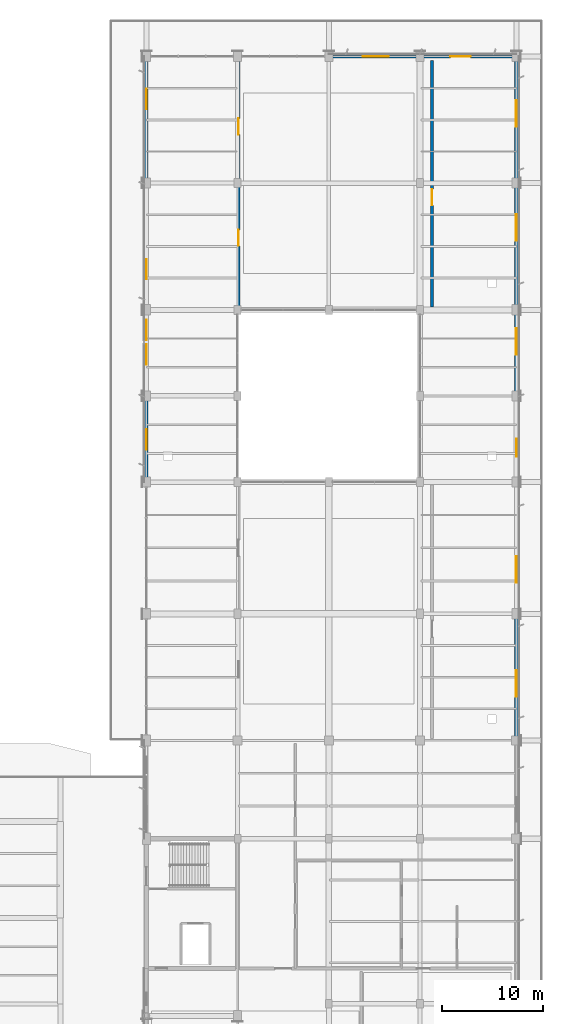
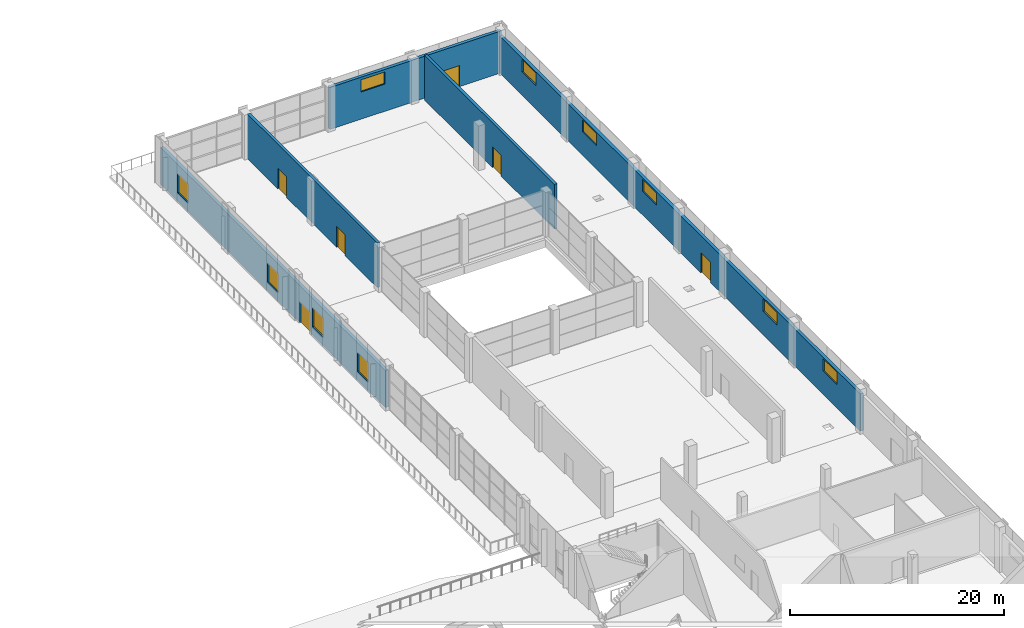
# One storey, part 72 of 90: 10 windows, 6 doors, 5 walls, 16 openings.
"""IFC4 building model written with IfcOpenShell, lengths in metres."""

from ifc_helpers import new_model, si_unit, direction, frame, frame_2d, origin, place, context, subcontext, project, spatial, rectangle, extrude, material, layer, layer_set, type_object, element, fill, save


model = new_model("IFC4")

# Units and contexts
model_context = context("Model", 3, precision=1e-05, world=origin(), true_north=direction((0.0, 1.0)))
body_context = subcontext(model_context, "Body", "Model", "MODEL_VIEW")
ifc_project = project(units=[si_unit("LENGTHUNIT", "METRE"), si_unit("AREAUNIT", "SQUARE_METRE"), si_unit("VOLUMEUNIT", "CUBIC_METRE"), si_unit("PLANEANGLEUNIT", "RADIAN"), si_unit("MASSUNIT", "GRAM", prefix="KILO")], contexts=[model_context])

# Site, building, storey
site_placement = place(None, origin())
site = spatial("IfcSite", under=ifc_project, at=site_placement, CompositionType="ELEMENT")
building_placement = place(site_placement, origin())
building = spatial("IfcBuilding", under=site, at=building_placement, Name="Solvikara Media Centre", CompositionType="ELEMENT")
storey_placement = place(building_placement, origin())
storey = spatial("IfcBuildingStorey", under=building, at=storey_placement, Name="L00", CompositionType="ELEMENT", Elevation=0.0)

# Wall, openings, doors
ifc_material_1 = material(Name="Concrete fc' 45 MPa (C45/55)", Category="concrete")
ifc_layer_1 = layer(ifc_material_1, 0.300048828125)
ifc_layer_set_1 = layer_set([ifc_layer_1], Name="Concrete fc' 45 MPa (C45/55)")
wall_type_1 = type_object("IfcWallType", Name="WT-05", PredefinedType="STANDARD", material=ifc_layer_set_1)
wall_1_placement = place(storey_placement, frame((136.60009765625, 89.300048828125, 0.0), z_axis=(0.0, 0.0, 1.0), x_axis=(0.0, 1.0, 0.0)))
wall_1 = element("IfcWall", 1, at=wall_1_placement, inside=storey, type_object=wall_type_1, Name="PW-L00-039", PredefinedType="STANDARD", context=body_context, shape_type="SweptSolid", body=[
    extrude(rectangle(XDim=24.300048828125, YDim=0.300048828125, at=frame_2d((12.14990234375, 0.0))), origin(), (0.0, 0.0, 1.0), 5.10009765625),
])
opening_1_placement = place(wall_1_placement, frame((6.0, 0.0, 0.0)))
opening_1 = element("IfcOpeningElement", 2, at=opening_1_placement, cuts=wall_1, Name="Opening D-L00-039-1", PredefinedType="OPENING", context=body_context, shape_type="SweptSolid", body=[
    extrude(rectangle(XDim=1.60009765625, YDim=2.39990234375, at=frame_2d((0.800048828125, 1.199951171875))), frame((0.0, 0.162109375, 0.0), z_axis=(0.0, -1.0, 0.0), x_axis=(1.0, 0.0, 0.0)), (0.0, 0.0, 1.0), 0.323974609375),
])
opening_2_placement = place(wall_1_placement, frame((17.0, 0.0, 0.0)))
opening_2 = element("IfcOpeningElement", 3, at=opening_2_placement, cuts=wall_1, Name="Opening D-L00-039-2", PredefinedType="OPENING", context=body_context, shape_type="SweptSolid", body=[
    extrude(rectangle(XDim=1.60009765625, YDim=2.39990234375, at=frame_2d((0.800048828125, 1.199951171875))), frame((0.0, 0.162109375, 0.0), z_axis=(0.0, -1.0, 0.0), x_axis=(1.0, 0.0, 0.0)), (0.0, 0.0, 1.0), 0.323974609375),
])
ifc_material_2 = material(Name="Solid core acoustic hardwood timber", Category="wood")
door_type_1 = type_object("IfcDoorType", Name="DT-13", OperationType="DOUBLE_DOOR_SINGLE_SWING", PredefinedType="DOOR", material=ifc_material_2)
door_1_placement = place(opening_1_placement, origin())
door_1 = element("IfcDoor", 4, at=door_1_placement, inside=storey, type_object=door_type_1, Name="D-L00-039-1", OperationType="DOUBLE_DOOR_SINGLE_SWING", OverallHeight=2.39990234375, OverallWidth=1.60009765625, PredefinedType="DOOR", context=body_context, shape_type="SweptSolid", body=[
    extrude(rectangle(XDim=1.60009765625, YDim=2.39990234375, at=frame_2d((0.800048828125, 1.199951171875))), frame((0.0, 0.02490234375, 0.0), z_axis=(0.0, -1.0, 0.0), x_axis=(1.0, 0.0, 0.0)), (0.0, 0.0, 1.0), 0.050048828125),
])
fill(opening_1, door_1)
door_2_placement = place(opening_2_placement, origin())
door_2 = element("IfcDoor", 5, at=door_2_placement, inside=storey, type_object=door_type_1, Name="D-L00-039-2", OperationType="DOUBLE_DOOR_SINGLE_SWING", OverallHeight=2.39990234375, OverallWidth=1.60009765625, PredefinedType="DOOR", context=body_context, shape_type="SweptSolid", body=[
    extrude(rectangle(XDim=1.60009765625, YDim=2.39990234375, at=frame_2d((0.800048828125, 1.199951171875))), frame((0.0, 0.02490234375, 0.0), z_axis=(0.0, -1.0, 0.0), x_axis=(1.0, 0.0, 0.0)), (0.0, 0.0, 1.0), 0.050048828125),
])
fill(opening_2, door_2)

# Wall, opening, door
wall_2_placement = place(storey_placement, frame((155.699951171875, 89.300048828125, 0.0), z_axis=(0.0, 0.0, 1.0), x_axis=(0.0, 1.0, 0.0)))
wall_2 = element("IfcWall", 6, at=wall_2_placement, inside=storey, type_object=wall_type_1, Name="PW-L00-040", PredefinedType="STANDARD", context=body_context, shape_type="SweptSolid", body=[
    extrude(rectangle(XDim=24.300048828125, YDim=0.300048828125, at=frame_2d((12.14990234375, 0.0))), origin(), (0.0, 0.0, 1.0), 5.10009765625),
])
opening_3_placement = place(wall_2_placement, frame((10.0, 0.0, 0.0)))
opening_3 = element("IfcOpeningElement", 7, at=opening_3_placement, cuts=wall_2, Name="Opening D-L00-040-1", PredefinedType="OPENING", context=body_context, shape_type="SweptSolid", body=[
    extrude(rectangle(XDim=1.60009765625, YDim=2.39990234375, at=frame_2d((0.800048828125, 1.199951171875))), frame((0.0, 0.162109375, 0.0), z_axis=(0.0, -1.0, 0.0), x_axis=(1.0, 0.0, 0.0)), (0.0, 0.0, 1.0), 0.323974609375),
])
door_3_placement = place(opening_3_placement, origin())
door_3 = element("IfcDoor", 8, at=door_3_placement, inside=storey, type_object=door_type_1, Name="D-L00-040-1", OperationType="DOUBLE_DOOR_SINGLE_SWING", OverallHeight=2.39990234375, OverallWidth=1.60009765625, PredefinedType="DOOR", context=body_context, shape_type="SweptSolid", body=[
    extrude(rectangle(XDim=1.60009765625, YDim=2.39990234375, at=frame_2d((0.800048828125, 1.199951171875))), frame((0.0, 0.02490234375, 0.0), z_axis=(0.0, -1.0, 0.0), x_axis=(1.0, 0.0, 0.0)), (0.0, 0.0, 1.0), 0.050048828125),
])
fill(opening_3, door_3)

# Wall, openings, door, windows
ifc_material_3 = material(Name="Precast concrete fc' 40 MPa (C40/50)", Category="concrete")
ifc_layer_2 = layer(ifc_material_3, 0.340087890625)
ifc_layer_set_2 = layer_set([ifc_layer_2], Name="Precast concrete fc' 40 MPa (C40/50)")
wall_type_2 = type_object("IfcWallType", Name="WT-09", PredefinedType="STANDARD", material=ifc_layer_set_2)
wall_3_placement = place(storey_placement, frame((164.0, 46.5, 0.0), z_axis=(0.0, 0.0, 1.0), x_axis=(0.0, 1.0, 0.0)))
wall_3 = element("IfcWall", 9, at=wall_3_placement, inside=storey, type_object=wall_type_2, Name="EW-L00-V2-E", PredefinedType="STANDARD", context=body_context, shape_type="SweptSolid", body=[
    extrude(rectangle(XDim=67.5, YDim=0.340087890625, at=frame_2d((33.75, 0.0))), origin(), (0.0, 0.0, 1.0), 4.239990234375),
])
opening_4_placement = place(wall_3_placement, frame((28.0, 0.0, 0.0)))
opening_4 = element("IfcOpeningElement", 10, at=opening_4_placement, cuts=wall_3, Name="Opening EX-14", PredefinedType="OPENING", context=body_context, shape_type="SweptSolid", body=[
    extrude(rectangle(XDim=1.800048828125, YDim=2.300048828125, at=frame_2d((0.89990234375, 1.14990234375))), frame((0.0, 0.18212890625, 0.0), z_axis=(0.0, -1.0, 0.0), x_axis=(1.0, 0.0, 0.0)), (0.0, 0.0, 1.0), 0.364013671875),
])
opening_5_placement = place(wall_3_placement, frame((4.324951171875, 0.0, 2.679931640625)))
opening_5 = element("IfcOpeningElement", 11, at=opening_5_placement, cuts=wall_3, Name="Opening W-L00-V2E-W01", PredefinedType="OPENING", context=body_context, shape_type="SweptSolid", body=[
    extrude(rectangle(XDim=2.60009765625, YDim=1.39990234375, at=frame_2d((1.300048828125, 0.699951171875))), frame((0.0, 0.18212890625, 0.0), z_axis=(0.0, -1.0, 0.0), x_axis=(1.0, 0.0, 0.0)), (0.0, 0.0, 1.0), 0.364013671875),
])
opening_6_placement = place(wall_3_placement, frame((15.574951171875, 0.0, 2.679931640625)))
opening_6 = element("IfcOpeningElement", 12, at=opening_6_placement, cuts=wall_3, Name="Opening W-L00-V2E-W02", PredefinedType="OPENING", context=body_context, shape_type="SweptSolid", body=[
    extrude(rectangle(XDim=2.60009765625, YDim=1.39990234375, at=frame_2d((1.300048828125, 0.699951171875))), frame((0.0, 0.18212890625, 0.0), z_axis=(0.0, -1.0, 0.0), x_axis=(1.0, 0.0, 0.0)), (0.0, 0.0, 1.0), 0.364013671875),
])
opening_7_placement = place(wall_3_placement, frame((38.074951171875, 0.0, 2.679931640625)))
opening_7 = element("IfcOpeningElement", 13, at=opening_7_placement, cuts=wall_3, Name="Opening W-L00-V2E-W04", PredefinedType="OPENING", context=body_context, shape_type="SweptSolid", body=[
    extrude(rectangle(XDim=2.60009765625, YDim=1.39990234375, at=frame_2d((1.300048828125, 0.699951171875))), frame((0.0, 0.18212890625, 0.0), z_axis=(0.0, -1.0, 0.0), x_axis=(1.0, 0.0, 0.0)), (0.0, 0.0, 1.0), 0.364013671875),
])
opening_8_placement = place(wall_3_placement, frame((49.324951171875, 0.0, 2.679931640625)))
opening_8 = element("IfcOpeningElement", 14, at=opening_8_placement, cuts=wall_3, Name="Opening W-L00-V2E-W05", PredefinedType="OPENING", context=body_context, shape_type="SweptSolid", body=[
    extrude(rectangle(XDim=2.60009765625, YDim=1.39990234375, at=frame_2d((1.300048828125, 0.699951171875))), frame((0.0, 0.18212890625, 0.0), z_axis=(0.0, -1.0, 0.0), x_axis=(1.0, 0.0, 0.0)), (0.0, 0.0, 1.0), 0.364013671875),
])
opening_9_placement = place(wall_3_placement, frame((60.574951171875, 0.0, 2.679931640625)))
opening_9 = element("IfcOpeningElement", 15, at=opening_9_placement, cuts=wall_3, Name="Opening W-L00-V2E-W06", PredefinedType="OPENING", context=body_context, shape_type="SweptSolid", body=[
    extrude(rectangle(XDim=2.60009765625, YDim=1.39990234375, at=frame_2d((1.300048828125, 0.699951171875))), frame((0.0, 0.18212890625, 0.0), z_axis=(0.0, -1.0, 0.0), x_axis=(1.0, 0.0, 0.0)), (0.0, 0.0, 1.0), 0.364013671875),
])
ifc_material_4 = material(Name="Insulated fire-rated steel door leaf", Category="steel")
door_type_2 = type_object("IfcDoorType", Name="DT-03", OperationType="DOUBLE_DOOR_SINGLE_SWING", PredefinedType="DOOR", material=ifc_material_4)
door_4_placement = place(opening_4_placement, frame((1.800048828125, 0.0, 0.0), z_axis=(0.0, 0.0, 1.0), x_axis=(-1.0, 0.0, 0.0)))
door_4 = element("IfcDoor", 16, at=door_4_placement, inside=storey, type_object=door_type_2, Name="EX-14", OperationType="DOUBLE_DOOR_SINGLE_SWING", OverallHeight=2.300048828125, OverallWidth=1.800048828125, PredefinedType="DOOR", context=body_context, shape_type="SweptSolid", body=[
    extrude(rectangle(XDim=1.800048828125, YDim=2.300048828125, at=frame_2d((0.89990234375, 1.14990234375))), frame((0.0, 0.02490234375, 0.0), z_axis=(0.0, -1.0, 0.0), x_axis=(1.0, 0.0, 0.0)), (0.0, 0.0, 1.0), 0.050048828125),
])
fill(opening_4, door_4)
ifc_material_5 = material(Name="Double-glazed low-E architectural glass", Category="glass")
window_type_1 = type_object("IfcWindowType", Name="WN-09", PartitioningType="SINGLE_PANEL", PredefinedType="WINDOW", material=ifc_material_5)
window_1_placement = place(opening_5_placement, origin())
window_1 = element("IfcWindow", 17, at=window_1_placement, inside=storey, type_object=window_type_1, Name="W-L00-V2E-W01", OverallHeight=1.39990234375, OverallWidth=2.60009765625, PartitioningType="SINGLE_PANEL", PredefinedType="WINDOW", context=body_context, shape_type="SweptSolid", body=[
    extrude(rectangle(XDim=2.60009765625, YDim=1.39990234375, at=frame_2d((1.300048828125, 0.699951171875))), frame((0.0, 0.030029296875, 0.0), z_axis=(0.0, -1.0, 0.0), x_axis=(1.0, 0.0, 0.0)), (0.0, 0.0, 1.0), 0.06005859375),
])
fill(opening_5, window_1)
window_2_placement = place(opening_6_placement, origin())
window_2 = element("IfcWindow", 18, at=window_2_placement, inside=storey, type_object=window_type_1, Name="W-L00-V2E-W02", OverallHeight=1.39990234375, OverallWidth=2.60009765625, PartitioningType="SINGLE_PANEL", PredefinedType="WINDOW", context=body_context, shape_type="SweptSolid", body=[
    extrude(rectangle(XDim=2.60009765625, YDim=1.39990234375, at=frame_2d((1.300048828125, 0.699951171875))), frame((0.0, 0.030029296875, 0.0), z_axis=(0.0, -1.0, 0.0), x_axis=(1.0, 0.0, 0.0)), (0.0, 0.0, 1.0), 0.06005859375),
])
fill(opening_6, window_2)
window_3_placement = place(opening_7_placement, origin())
window_3 = element("IfcWindow", 19, at=window_3_placement, inside=storey, type_object=window_type_1, Name="W-L00-V2E-W04", OverallHeight=1.39990234375, OverallWidth=2.60009765625, PartitioningType="SINGLE_PANEL", PredefinedType="WINDOW", context=body_context, shape_type="SweptSolid", body=[
    extrude(rectangle(XDim=2.60009765625, YDim=1.39990234375, at=frame_2d((1.300048828125, 0.699951171875))), frame((0.0, 0.030029296875, 0.0), z_axis=(0.0, -1.0, 0.0), x_axis=(1.0, 0.0, 0.0)), (0.0, 0.0, 1.0), 0.06005859375),
])
fill(opening_7, window_3)
window_4_placement = place(opening_8_placement, origin())
window_4 = element("IfcWindow", 20, at=window_4_placement, inside=storey, type_object=window_type_1, Name="W-L00-V2E-W05", OverallHeight=1.39990234375, OverallWidth=2.60009765625, PartitioningType="SINGLE_PANEL", PredefinedType="WINDOW", context=body_context, shape_type="SweptSolid", body=[
    extrude(rectangle(XDim=2.60009765625, YDim=1.39990234375, at=frame_2d((1.300048828125, 0.699951171875))), frame((0.0, 0.030029296875, 0.0), z_axis=(0.0, -1.0, 0.0), x_axis=(1.0, 0.0, 0.0)), (0.0, 0.0, 1.0), 0.06005859375),
])
fill(opening_8, window_4)
window_5_placement = place(opening_9_placement, origin())
window_5 = element("IfcWindow", 21, at=window_5_placement, inside=storey, type_object=window_type_1, Name="W-L00-V2E-W06", OverallHeight=1.39990234375, OverallWidth=2.60009765625, PartitioningType="SINGLE_PANEL", PredefinedType="WINDOW", context=body_context, shape_type="SweptSolid", body=[
    extrude(rectangle(XDim=2.60009765625, YDim=1.39990234375, at=frame_2d((1.300048828125, 0.699951171875))), frame((0.0, 0.030029296875, 0.0), z_axis=(0.0, -1.0, 0.0), x_axis=(1.0, 0.0, 0.0)), (0.0, 0.0, 1.0), 0.06005859375),
])
fill(opening_9, window_5)

# Wall, openings, door, window
wall_4_placement = place(storey_placement, frame((145.5, 114.0, 0.0), z_axis=(0.0, 0.0, 1.0), x_axis=(1.0, 0.0, 0.0)))
wall_4 = element("IfcWall", 22, at=wall_4_placement, inside=storey, type_object=wall_type_2, Name="EW-L00-V2-N", PredefinedType="STANDARD", context=body_context, shape_type="SweptSolid", body=[
    extrude(rectangle(XDim=18.5, YDim=0.340087890625, at=frame_2d((9.25, 0.0))), origin(), (0.0, 0.0, 1.0), 4.7880859375),
])
opening_10_placement = place(wall_4_placement, frame((12.0, 0.0, 0.0)))
opening_10 = element("IfcOpeningElement", 23, at=opening_10_placement, cuts=wall_4, Name="Opening EX-15", PredefinedType="OPENING", context=body_context, shape_type="SweptSolid", body=[
    extrude(rectangle(XDim=2.0, YDim=2.39990234375, at=frame_2d((1.0, 1.199951171875))), frame((0.0, 0.18212890625, 0.0), z_axis=(0.0, -1.0, 0.0), x_axis=(1.0, 0.0, 0.0)), (0.0, 0.0, 1.0), 0.364013671875),
])
opening_11_placement = place(wall_4_placement, frame((3.324951171875, 0.0, 3.10009765625)))
opening_11 = element("IfcOpeningElement", 24, at=opening_11_placement, cuts=wall_4, Name="Opening W-L00-V2N-W01", PredefinedType="OPENING", context=body_context, shape_type="SweptSolid", body=[
    extrude(rectangle(XDim=2.60009765625, YDim=1.39990234375, at=frame_2d((1.300048828125, 0.699951171875))), frame((0.0, 0.18212890625, 0.0), z_axis=(0.0, -1.0, 0.0), x_axis=(1.0, 0.0, 0.0)), (0.0, 0.0, 1.0), 0.364013671875),
])
ifc_material_6 = material(Name="Anodised aluminium EN AW-6063", Category="aluminium")
door_type_3 = type_object("IfcDoorType", Name="DT-01", OperationType="DOUBLE_DOOR_SINGLE_SWING", PredefinedType="DOOR", material=ifc_material_6)
door_5_placement = place(opening_10_placement, origin())
door_5 = element("IfcDoor", 25, at=door_5_placement, inside=storey, type_object=door_type_3, Name="EX-15", OperationType="DOUBLE_DOOR_SINGLE_SWING", OverallHeight=2.39990234375, OverallWidth=2.0, PredefinedType="DOOR", context=body_context, shape_type="SweptSolid", body=[
    extrude(rectangle(XDim=2.0, YDim=2.39990234375, at=frame_2d((1.0, 1.199951171875))), frame((0.0, 0.02490234375, 0.0), z_axis=(0.0, -1.0, 0.0), x_axis=(1.0, 0.0, 0.0)), (0.0, 0.0, 1.0), 0.050048828125),
])
fill(opening_10, door_5)
window_6_placement = place(opening_11_placement, origin())
window_6 = element("IfcWindow", 26, at=window_6_placement, inside=storey, type_object=window_type_1, Name="W-L00-V2N-W01", OverallHeight=1.39990234375, OverallWidth=2.60009765625, PartitioningType="SINGLE_PANEL", PredefinedType="WINDOW", context=body_context, shape_type="SweptSolid", body=[
    extrude(rectangle(XDim=2.60009765625, YDim=1.39990234375, at=frame_2d((1.300048828125, 0.699951171875))), frame((0.0, 0.030029296875, 0.0), z_axis=(0.0, -1.0, 0.0), x_axis=(1.0, 0.0, 0.0)), (0.0, 0.0, 1.0), 0.06005859375),
])
fill(opening_11, window_6)

# Wall, openings, door, windows
wall_5_placement = place(storey_placement, frame((127.5, 72.0, 0.0), z_axis=(0.0, 0.0, 1.0), x_axis=(0.0, 1.0, 0.0)))
wall_5 = element("IfcWall", 27, at=wall_5_placement, inside=storey, type_object=wall_type_2, Name="EW-L00-V2-W", PredefinedType="STANDARD", context=body_context, shape_type="SweptSolid", body=[
    extrude(rectangle(XDim=42.0, YDim=0.340087890625, at=frame_2d((21.0, 0.0))), origin(), (0.0, 0.0, 1.0), 4.239990234375),
])
opening_12_placement = place(wall_5_placement, frame((14.0, 0.0, 0.0)))
opening_12 = element("IfcOpeningElement", 28, at=opening_12_placement, cuts=wall_5, Name="Opening EX-16", PredefinedType="OPENING", context=body_context, shape_type="SweptSolid", body=[
    extrude(rectangle(XDim=2.0, YDim=2.39990234375, at=frame_2d((1.0, 1.199951171875))), frame((0.0, 0.18212890625, 0.0), z_axis=(0.0, -1.0, 0.0), x_axis=(1.0, 0.0, 0.0)), (0.0, 0.0, 1.0), 0.364013671875),
])
opening_13_placement = place(wall_5_placement, frame((3.199951171875, 0.0, 1.0)))
opening_13 = element("IfcOpeningElement", 29, at=opening_13_placement, cuts=wall_5, Name="Opening W-L00-V2W-W01", PredefinedType="OPENING", context=body_context, shape_type="SweptSolid", body=[
    extrude(rectangle(XDim=2.0, YDim=2.199951171875, at=frame_2d((1.0, 1.10009765625))), frame((0.0, 0.18212890625, 0.0), z_axis=(0.0, -1.0, 0.0), x_axis=(1.0, 0.0, 0.0)), (0.0, 0.0, 1.0), 0.364013671875),
])
opening_14_placement = place(wall_5_placement, frame((11.60009765625, 0.0, 1.0)))
opening_14 = element("IfcOpeningElement", 30, at=opening_14_placement, cuts=wall_5, Name="Opening W-L00-V2W-W02", PredefinedType="OPENING", context=body_context, shape_type="SweptSolid", body=[
    extrude(rectangle(XDim=2.0, YDim=2.199951171875, at=frame_2d((1.0, 1.10009765625))), frame((0.0, 0.18212890625, 0.0), z_axis=(0.0, -1.0, 0.0), x_axis=(1.0, 0.0, 0.0)), (0.0, 0.0, 1.0), 0.364013671875),
])
opening_15_placement = place(wall_5_placement, frame((20.0, 0.0, 1.0)))
opening_15 = element("IfcOpeningElement", 31, at=opening_15_placement, cuts=wall_5, Name="Opening W-L00-V2W-W03", PredefinedType="OPENING", context=body_context, shape_type="SweptSolid", body=[
    extrude(rectangle(XDim=2.0, YDim=2.199951171875, at=frame_2d((1.0, 1.10009765625))), frame((0.0, 0.18212890625, 0.0), z_axis=(0.0, -1.0, 0.0), x_axis=(1.0, 0.0, 0.0)), (0.0, 0.0, 1.0), 0.364013671875),
])
opening_16_placement = place(wall_5_placement, frame((36.800048828125, 0.0, 1.0)))
opening_16 = element("IfcOpeningElement", 32, at=opening_16_placement, cuts=wall_5, Name="Opening W-L00-V2W-W05", PredefinedType="OPENING", context=body_context, shape_type="SweptSolid", body=[
    extrude(rectangle(XDim=2.0, YDim=2.199951171875, at=frame_2d((1.0, 1.10009765625))), frame((0.0, 0.18212890625, 0.0), z_axis=(0.0, -1.0, 0.0), x_axis=(1.0, 0.0, 0.0)), (0.0, 0.0, 1.0), 0.364013671875),
])
door_6_placement = place(opening_12_placement, origin())
door_6 = element("IfcDoor", 33, at=door_6_placement, inside=storey, type_object=door_type_3, Name="EX-16", OperationType="DOUBLE_DOOR_SINGLE_SWING", OverallHeight=2.39990234375, OverallWidth=2.0, PredefinedType="DOOR", context=body_context, shape_type="SweptSolid", body=[
    extrude(rectangle(XDim=2.0, YDim=2.39990234375, at=frame_2d((1.0, 1.199951171875))), frame((0.0, 0.02490234375, 0.0), z_axis=(0.0, -1.0, 0.0), x_axis=(1.0, 0.0, 0.0)), (0.0, 0.0, 1.0), 0.050048828125),
])
fill(opening_12, door_6)
window_type_2 = type_object("IfcWindowType", Name="WN-08", PartitioningType="SINGLE_PANEL", PredefinedType="WINDOW", material=ifc_material_5)
window_7_placement = place(opening_13_placement, origin())
window_7 = element("IfcWindow", 34, at=window_7_placement, inside=storey, type_object=window_type_2, Name="W-L00-V2W-W01", OverallHeight=2.199951171875, OverallWidth=2.0, PartitioningType="SINGLE_PANEL", PredefinedType="WINDOW", context=body_context, shape_type="SweptSolid", body=[
    extrude(rectangle(XDim=2.0, YDim=2.199951171875, at=frame_2d((1.0, 1.10009765625))), frame((0.0, 0.030029296875, 0.0), z_axis=(0.0, -1.0, 0.0), x_axis=(1.0, 0.0, 0.0)), (0.0, 0.0, 1.0), 0.06005859375),
])
fill(opening_13, window_7)
window_8_placement = place(opening_14_placement, origin())
window_8 = element("IfcWindow", 35, at=window_8_placement, inside=storey, type_object=window_type_2, Name="W-L00-V2W-W02", OverallHeight=2.199951171875, OverallWidth=2.0, PartitioningType="SINGLE_PANEL", PredefinedType="WINDOW", context=body_context, shape_type="SweptSolid", body=[
    extrude(rectangle(XDim=2.0, YDim=2.199951171875, at=frame_2d((1.0, 1.10009765625))), frame((0.0, 0.030029296875, 0.0), z_axis=(0.0, -1.0, 0.0), x_axis=(1.0, 0.0, 0.0)), (0.0, 0.0, 1.0), 0.06005859375),
])
fill(opening_14, window_8)
window_9_placement = place(opening_15_placement, origin())
window_9 = element("IfcWindow", 36, at=window_9_placement, inside=storey, type_object=window_type_2, Name="W-L00-V2W-W03", OverallHeight=2.199951171875, OverallWidth=2.0, PartitioningType="SINGLE_PANEL", PredefinedType="WINDOW", context=body_context, shape_type="SweptSolid", body=[
    extrude(rectangle(XDim=2.0, YDim=2.199951171875, at=frame_2d((1.0, 1.10009765625))), frame((0.0, 0.030029296875, 0.0), z_axis=(0.0, -1.0, 0.0), x_axis=(1.0, 0.0, 0.0)), (0.0, 0.0, 1.0), 0.06005859375),
])
fill(opening_15, window_9)
window_10_placement = place(opening_16_placement, origin())
window_10 = element("IfcWindow", 37, at=window_10_placement, inside=storey, type_object=window_type_2, Name="W-L00-V2W-W05", OverallHeight=2.199951171875, OverallWidth=2.0, PartitioningType="SINGLE_PANEL", PredefinedType="WINDOW", context=body_context, shape_type="SweptSolid", body=[
    extrude(rectangle(XDim=2.0, YDim=2.199951171875, at=frame_2d((1.0, 1.10009765625))), frame((0.0, 0.030029296875, 0.0), z_axis=(0.0, -1.0, 0.0), x_axis=(1.0, 0.0, 0.0)), (0.0, 0.0, 1.0), 0.06005859375),
])
fill(opening_16, window_10)

save(model, "model.ifc")
